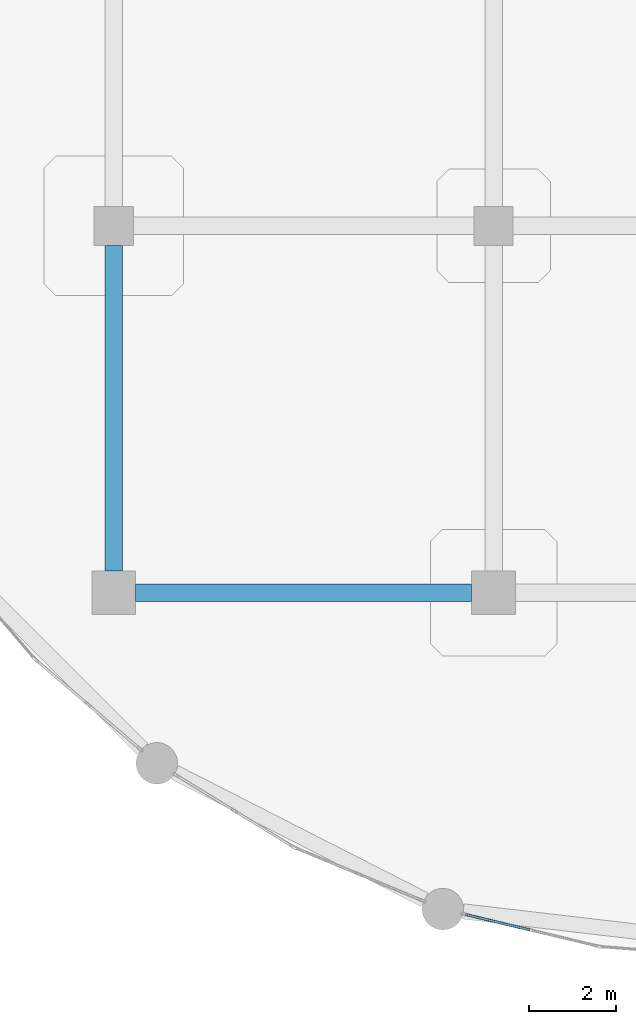
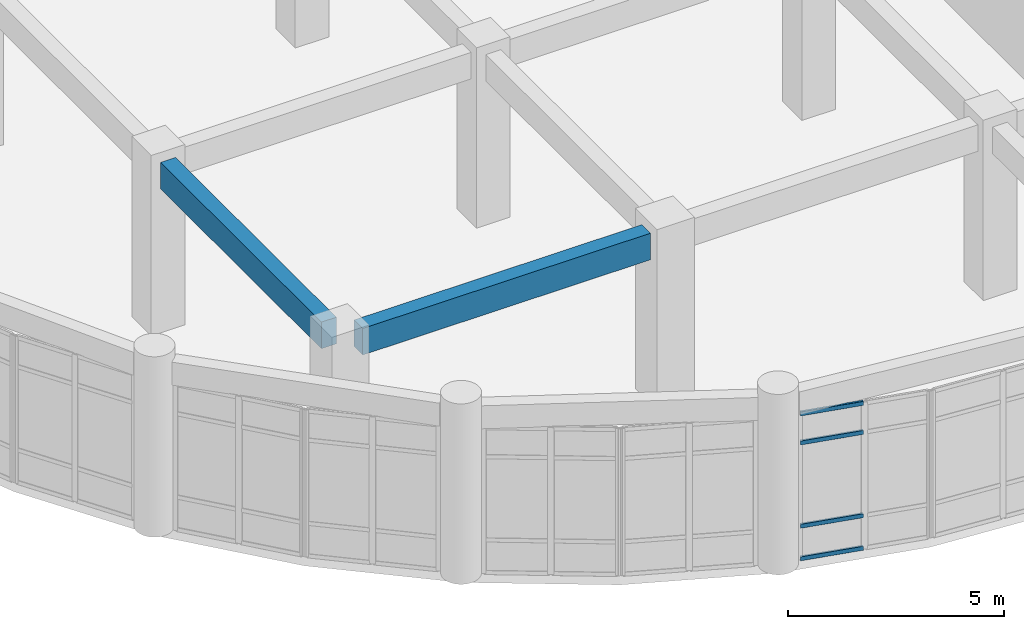
# One storey, part 4 of 120: 4 members, 2 beams, 1 element without a shape of its own.
"""IFC4 building model written with IfcOpenShell, lengths in metres."""

from ifc_helpers import new_model, si_unit, derived_unit, direction, frame, origin, origin_2d, place, context, subcontext, project, spatial, rectangle, hollow_rectangle, extrude, material, layer, layer_set, material_profile, profile_set, type_object, element, aggregate, save


model = new_model("IFC4")

# Units and contexts
model_context = context("Model", 3, precision=1e-05, world=origin(), true_north=direction((0.0, 1.0)))
body_context = subcontext(model_context, "Body", "Model", "MODEL_VIEW")
ifc_project = project(units=[si_unit("LENGTHUNIT", "METRE"), si_unit("AREAUNIT", "SQUARE_METRE"), si_unit("VOLUMEUNIT", "CUBIC_METRE"), si_unit("PLANEANGLEUNIT", "RADIAN"), si_unit("MASSUNIT", "GRAM", prefix="KILO"), derived_unit("THERMALTRANSMITTANCEUNIT", [(si_unit("MASSUNIT", "GRAM", prefix="KILO"), 1), (si_unit("TIMEUNIT", "SECOND"), -3), (si_unit("THERMODYNAMICTEMPERATUREUNIT", "KELVIN"), -1)])], contexts=[model_context])

# Site, building, storey
site_placement = place(None, origin())
site = spatial("IfcSite", under=ifc_project, at=site_placement, CompositionType="ELEMENT")
building_placement = place(site_placement, origin())
building = spatial("IfcBuilding", under=site, at=building_placement, Name="Qinzheling Arcade Emporium", CompositionType="ELEMENT")
storey_placement = place(building_placement, frame((0.0, 0.0, 11.39990234375)))
storey = spatial("IfcBuildingStorey", under=building, at=storey_placement, Name="L03", CompositionType="ELEMENT", Elevation=11.39990234375)

# Curtain wall, members
ifc_material_1 = material(Name="Anodised aluminium and solar-control double glazing", Category="aluminium")
ifc_layer = layer(ifc_material_1, 0.159912109375, Name="Anodised aluminium and solar-control double glazing", Category="aluminium")
ifc_layer_set = layer_set([ifc_layer], Name="Anodised aluminium and solar-control double glazing")
curtain_wall_type = type_object("IfcCurtainWallType", Name="Curved Ribbon Sales Curtain Wall", PredefinedType="NOTDEFINED", material=ifc_layer_set)
curtain_wall_placement = place(storey_placement, origin())
curtain_wall = element("IfcCurtainWall", 1, at=curtain_wall_placement, inside=storey, type_object=curtain_wall_type, Name="Curtain Wall CW-L03-154", PredefinedType="NOTDEFINED")
ifc_material_2 = material(Name="Anodised aluminium 6063-T6", Category="aluminium")
ifc_material_profile_1 = material_profile(ifc_material_2, hollow_rectangle(XDim=0.06005859375, YDim=0.1201171875, WallThickness=0.00390625, InnerFilletRadius=0.00390625, OuterFilletRadius=0.008056640625, at=origin_2d()), Name="RHS 120x60x4", Category="aluminium")
ifc_profile_set_1 = profile_set([ifc_material_profile_1], Name="Anodised aluminium 6063-T6")
member_type = type_object("IfcMemberType", Name="Curtain Wall Transom RHS120x60", PredefinedType="USERDEFINED", material=ifc_profile_set_1)
member_1_placement = place(storey_placement, frame((18.23388671875, 0.6708984375, 0.030029296875), z_axis=(-0.972337563874, 0.233580097352, 0.0), x_axis=(-0.233580097352, -0.972337563874, 0.0)))
member_1 = element("IfcMember", 2, at=member_1_placement, type_object=member_type, Name="CW02 transom 2.1", ObjectType="TRANSOM", PredefinedType="USERDEFINED", context=body_context, shape_type="SweptSolid", body=[
    extrude(hollow_rectangle(XDim=0.06005859375, YDim=0.1201171875, WallThickness=0.00390625, InnerFilletRadius=0.00390625, OuterFilletRadius=0.008056640625, at=origin_2d()), origin(), (0.0, 0.0, 1.0), 1.515625),
])
member_2_placement = place(storey_placement, frame((18.23388671875, 0.6708984375, 0.9501953125), z_axis=(-0.972337563874, 0.233580097352, 0.0), x_axis=(-0.233580097352, -0.972337563874, 0.0)))
member_2 = element("IfcMember", 3, at=member_2_placement, type_object=member_type, Name="CW02 transom 2.2", ObjectType="TRANSOM", PredefinedType="USERDEFINED", context=body_context, shape_type="SweptSolid", body=[
    extrude(hollow_rectangle(XDim=0.06005859375, YDim=0.1201171875, WallThickness=0.00390625, InnerFilletRadius=0.00390625, OuterFilletRadius=0.008056640625, at=origin_2d()), origin(), (0.0, 0.0, 1.0), 1.515625),
])
member_3_placement = place(storey_placement, frame((18.23388671875, 0.6708984375, 3.30517578125), z_axis=(-0.972337563874, 0.233580097352, 0.0), x_axis=(-0.233580097352, -0.972337563874, 0.0)))
member_3 = element("IfcMember", 4, at=member_3_placement, type_object=member_type, Name="CW02 transom 2.3", ObjectType="TRANSOM", PredefinedType="USERDEFINED", context=body_context, shape_type="SweptSolid", body=[
    extrude(hollow_rectangle(XDim=0.06005859375, YDim=0.1201171875, WallThickness=0.00390625, InnerFilletRadius=0.00390625, OuterFilletRadius=0.008056640625, at=origin_2d()), origin(), (0.0, 0.0, 1.0), 1.515625),
])
member_4_placement = place(storey_placement, frame((18.23388671875, 0.6708984375, 4.125), z_axis=(-0.972337563874, 0.233580097352, 0.0), x_axis=(-0.233580097352, -0.972337563874, 0.0)))
member_4 = element("IfcMember", 5, at=member_4_placement, type_object=member_type, Name="CW02 transom 2.4", ObjectType="TRANSOM", PredefinedType="USERDEFINED", context=body_context, shape_type="SweptSolid", body=[
    extrude(hollow_rectangle(XDim=0.06005859375, YDim=0.1201171875, WallThickness=0.00390625, InnerFilletRadius=0.00390625, OuterFilletRadius=0.008056640625, at=origin_2d()), origin(), (0.0, 0.0, 1.0), 1.515625),
])
aggregate(curtain_wall, [member_1, member_2, member_3, member_4])

# Beams
ifc_material_3 = material(Name="Concrete C40", Category="concrete")
ifc_material_profile_2 = material_profile(ifc_material_3, rectangle(XDim=0.39990234375, YDim=0.75, at=origin_2d()), Name="RC 400x750", Category="concrete")
ifc_profile_set_2 = profile_set([ifc_material_profile_2], Name="Concrete C40")
beam_type = type_object("IfcBeamType", Name="RC Interior Tie Beam 400x750 C40", PredefinedType="BEAM", material=ifc_profile_set_2)
beam_1_placement = place(storey_placement, frame((9.199951171875, 8.39990234375, 4.445068359375), z_axis=(1.0, 0.0, 0.0), x_axis=(0.0, 1.0, 0.0)))
element("IfcBeam", 6, at=beam_1_placement, inside=storey, type_object=beam_type, Name="Beam BM-L03-X-B-2", PredefinedType="BEAM", context=body_context, shape_type="SweptSolid", body=[
    extrude(rectangle(XDim=0.39990234375, YDim=0.75, at=origin_2d()), origin(), (0.0, 0.0, 1.0), 7.699951171875),
])
beam_2_placement = place(storey_placement, frame((8.699951171875, 8.89990234375, 4.445068359375), z_axis=(0.0, 1.0, 0.0), x_axis=(-1.0, 0.0, 0.0)))
element("IfcBeam", 7, at=beam_2_placement, inside=storey, type_object=beam_type, Name="Beam BM-L03-Y-2-B", PredefinedType="BEAM", context=body_context, shape_type="SweptSolid", body=[
    extrude(rectangle(XDim=0.39990234375, YDim=0.75, at=origin_2d()), origin(), (0.0, 0.0, 1.0), 7.4501953125),
])

save(model, "model.ifc")
